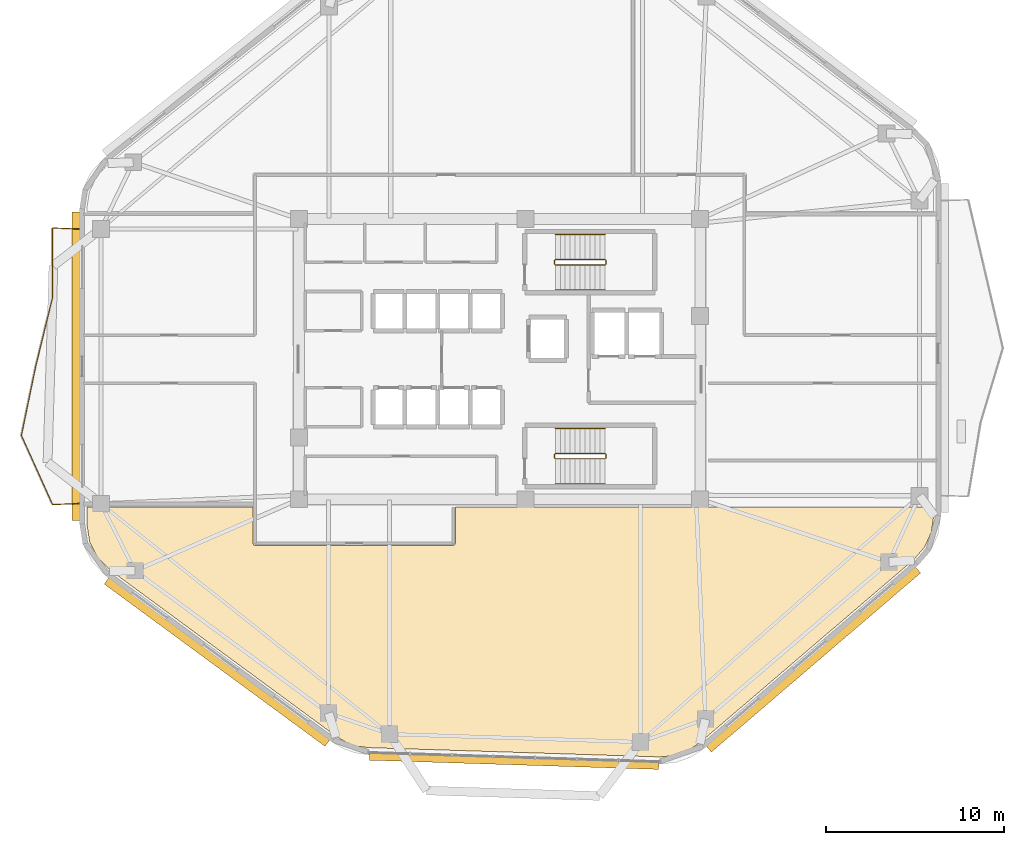
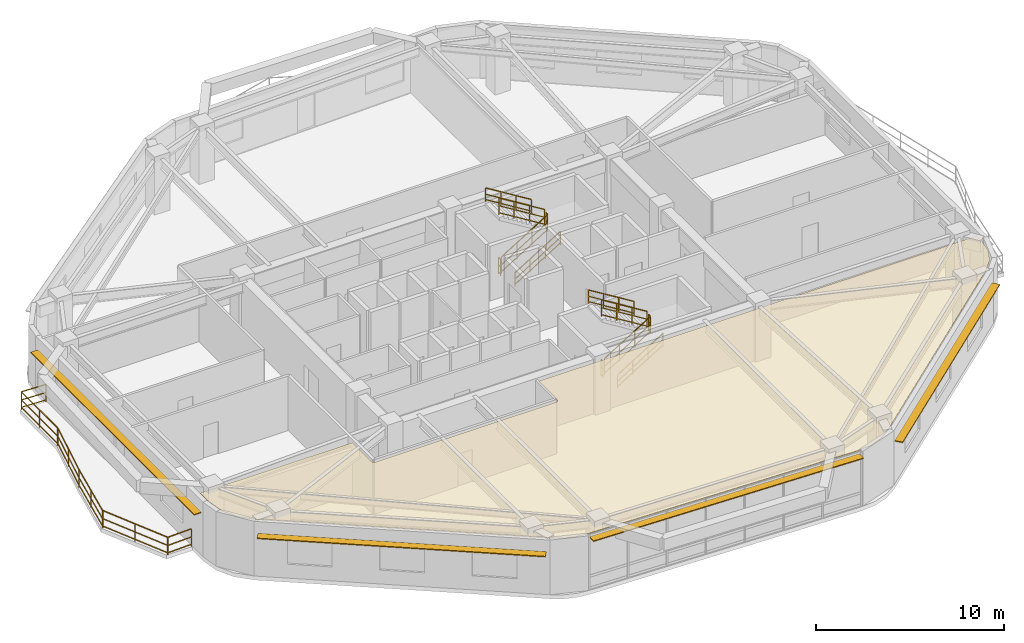
# One storey, part 11 of 12: 18 railings, 4 shading devices, 1 covering.
"""IFC4 building model written with IfcOpenShell, lengths in metres."""

from ifc_helpers import new_model, si_unit, direction, frame, origin, origin_2d, place, context, subcontext, project, spatial, polyline, rectangle, outline, extrude, material, layer, layer_set, type_object, element, save


model = new_model("IFC4")

# Units and contexts
model_context = context("Model", 3, precision=1e-05, world=origin(), true_north=direction((0.0, 1.0)))
body_context = subcontext(model_context, "Body", "Model", "MODEL_VIEW")
ifc_project = project(units=[si_unit("LENGTHUNIT", "METRE"), si_unit("AREAUNIT", "SQUARE_METRE"), si_unit("VOLUMEUNIT", "CUBIC_METRE"), si_unit("PLANEANGLEUNIT", "RADIAN"), si_unit("MASSUNIT", "GRAM", prefix="KILO")], contexts=[model_context])

# Site, building, storey
site_placement = place(None, origin())
site = spatial("IfcSite", under=ifc_project, at=site_placement, CompositionType="ELEMENT")
building_placement = place(site_placement, origin())
building = spatial("IfcBuilding", under=site, at=building_placement, Name="Zulverin Broadcast Headquarters", CompositionType="ELEMENT")
storey_placement = place(building_placement, frame((0.0, 0.0, 185.800048828125)))
storey = spatial("IfcBuildingStorey", under=building, at=storey_placement, Name="L47", CompositionType="ELEMENT", Elevation=185.800048828125)

# Covering
ifc_material_1 = material(Name="Perforated pale-metal acoustic baffle ceiling", Category="aluminium")
ifc_layer_1 = layer(ifc_material_1, 0.0400390625, Name="Perforated pale-metal acoustic baffle ceiling", Category="aluminium")
ifc_layer_set_1 = layer_set([ifc_layer_1], Name="Perforated pale-metal acoustic baffle ceiling")
covering_type = type_object("IfcCoveringType", Name="COV-CEIL-ACOU", PredefinedType="CEILING", material=ifc_layer_set_1)
covering_placement = place(storey_placement, frame((0.0, 0.0, 3.35986328125)))
element("IfcCovering", 1, at=covering_placement, inside=storey, type_object=covering_type, Name="L47 Acoustic Baffle Ceiling 03", PredefinedType="CEILING", context=body_context, shape_type="SweptSolid", body=[
    extrude(outline(polyline([(23.132080078125, 14.864013671875), (23.132080078125, 14.8759765625), (23.132080078125, 16.89990234375), (13.800048828125, 16.89990234375), (13.800048828125, 15.951904296875), (13.9599609375, 14.93994140625), (14.407958984375, 14.055908203125), (15.132080078125, 13.327880859375), (27.823974609375, 3.99609375), (28.39208984375, 3.659912109375), (28.99609375, 3.447998046875), (29.652099609375, 3.364013671875), (46.008056640625, 2.843994140625), (46.81591796875, 2.919921875), (47.56005859375, 3.179931640625), (48.236083984375, 3.6279296875), (60.260009765625, 13.916015625), (60.884033203125, 14.6279296875), (61.263916015625, 15.464111328125), (61.39990234375, 16.39599609375), (61.39990234375, 16.89990234375), (48.635986328125, 16.89990234375), (48.6279296875, 16.89599609375), (48.6201171875, 16.89208984375), (48.612060546875, 16.887939453125), (48.60009765625, 16.884033203125), (48.592041015625, 16.884033203125), (48.580078125, 16.8798828125), (48.568115234375, 16.8798828125), (34.52001953125, 16.8798828125), (34.52001953125, 14.8798828125), (34.52001953125, 14.867919921875), (34.51611328125, 14.85595703125), (34.51611328125, 14.847900390625), (34.511962890625, 14.8359375), (34.508056640625, 14.827880859375), (34.50390625, 14.820068359375), (34.5, 14.81201171875), (34.491943359375, 14.800048828125), (34.488037109375, 14.7919921875), (34.47998046875, 14.783935546875), (34.471923828125, 14.77587890625), (34.464111328125, 14.76806640625), (34.4560546875, 14.763916015625), (34.444091796875, 14.751953125), (34.431884765625, 14.748046875), (34.419921875, 14.739990234375), (34.412109375, 14.736083984375), (34.39990234375, 14.736083984375), (34.387939453125, 14.73193359375), (34.3759765625, 14.73193359375), (23.27587890625, 14.73193359375), (23.263916015625, 14.73193359375), (23.251953125, 14.736083984375), (23.243896484375, 14.736083984375), (23.23193359375, 14.739990234375), (23.22412109375, 14.743896484375), (23.2080078125, 14.751953125), (23.196044921875, 14.760009765625), (23.18798828125, 14.763916015625), (23.179931640625, 14.77197265625), (23.172119140625, 14.780029296875), (23.1640625, 14.7880859375), (23.159912109375, 14.7958984375), (23.152099609375, 14.80810546875), (23.14794921875, 14.81591796875), (23.14404296875, 14.823974609375), (23.139892578125, 14.83203125), (23.135986328125, 14.843994140625), (23.135986328125, 14.85205078125), (23.132080078125, 14.864013671875)])), origin(), (0.0, 0.0, 1.0), 0.0400390625),
])

# Railings
ifc_material_2 = material(Name="Brushed stainless steel & laminated glass balustrade", Category="steel")
railing_type_1 = type_object("IfcRailingType", Name="RL-GUARD-1150", PredefinedType="GUARDRAIL", material=ifc_material_2)
railing_1_placement = place(storey_placement, frame((13.360107421875, 32.51318359375, 0.0)))
element("IfcRailing", 2, at=railing_1_placement, inside=storey, type_object=railing_type_1, Name="L47 Vertical-Forest Balcony Guardrail BAL_W Segment 01", PredefinedType="GUARDRAIL", context=body_context, shape_type="SweptSolid", body=[
    extrude(rectangle(XDim=0.048095703125, YDim=0.048095703125, at=origin_2d()), frame((0.0, 0.0, 1.1259765625), z_axis=(-0.999181155166, 0.040460093435, 0.0), x_axis=(-0.040460093435, -0.999181155166, 0.0)), (0.0, 0.0, 1.0), 1.46630859375),
    extrude(rectangle(XDim=0.0419921875, YDim=0.0419921875, at=origin_2d()), frame((0.0, 0.0, 0.597900390625), z_axis=(-0.999181155166, 0.040460093435, 0.0), x_axis=(-0.040460093435, -0.999181155166, 0.0)), (0.0, 0.0, 1.0), 1.46630859375),
    extrude(rectangle(XDim=0.0419921875, YDim=0.0419921875, at=origin_2d()), frame((0.0, 0.0, 0.1201171875), z_axis=(-0.999181155166, 0.040460093435, 0.0), x_axis=(-0.040460093435, -0.999181155166, 0.0)), (0.0, 0.0, 1.0), 1.46630859375),
    extrude(rectangle(XDim=0.0419921875, YDim=0.0419921875, at=origin_2d()), origin(), (0.0, 0.0, 1.0), 1.101806640625),
    extrude(rectangle(XDim=0.0419921875, YDim=0.0419921875, at=origin_2d()), frame((-1.465087890625, 0.059326171875, 0.0)), (0.0, 0.0, 1.0), 1.101806640625),
])
railing_2_placement = place(storey_placement, frame((11.8798828125, 32.55810546875, 0.0)))
element("IfcRailing", 3, at=railing_2_placement, inside=storey, type_object=railing_type_1, Name="L47 Vertical-Forest Balcony Guardrail BAL_W Segment 02", PredefinedType="GUARDRAIL", context=body_context, shape_type="SweptSolid", body=[
    extrude(rectangle(XDim=0.048095703125, YDim=0.048095703125, at=origin_2d()), frame((0.0, 0.0, 1.1259765625), z_axis=(0.0, -1.0, 0.0), x_axis=(1.0, 0.0, 0.0)), (0.0, 0.0, 1.0), 3.857666015625),
    extrude(rectangle(XDim=0.0419921875, YDim=0.0419921875, at=origin_2d()), frame((0.0, 0.0, 0.597900390625), z_axis=(0.0, -1.0, 0.0), x_axis=(1.0, 0.0, 0.0)), (0.0, 0.0, 1.0), 3.857666015625),
    extrude(rectangle(XDim=0.0419921875, YDim=0.0419921875, at=origin_2d()), frame((0.0, 0.0, 0.1201171875), z_axis=(0.0, -1.0, 0.0), x_axis=(1.0, 0.0, 0.0)), (0.0, 0.0, 1.0), 3.857666015625),
    extrude(rectangle(XDim=0.0419921875, YDim=0.0419921875, at=origin_2d()), origin(), (0.0, 0.0, 1.0), 1.101806640625),
    extrude(rectangle(XDim=0.0419921875, YDim=0.0419921875, at=origin_2d()), frame((0.0, -1.9287109375, 0.0)), (0.0, 0.0, 1.0), 1.101806640625),
    extrude(rectangle(XDim=0.0419921875, YDim=0.0419921875, at=origin_2d()), frame((0.0, -3.857666015625, 0.0)), (0.0, 0.0, 1.0), 1.101806640625),
])
railing_3_placement = place(storey_placement, frame((11.87646484375, 28.6708984375, 0.0)))
element("IfcRailing", 4, at=railing_3_placement, inside=storey, type_object=railing_type_1, Name="L47 Vertical-Forest Balcony Guardrail BAL_W Segment 03", PredefinedType="GUARDRAIL", context=body_context, shape_type="SweptSolid", body=[
    extrude(rectangle(XDim=0.048095703125, YDim=0.048095703125, at=origin_2d()), frame((0.0, 0.0, 1.1259765625), z_axis=(-0.237195305154, -0.97146198444, 0.0), x_axis=(0.97146198444, -0.237195305154, 0.0)), (0.0, 0.0, 1.0), 3.971923828125),
    extrude(rectangle(XDim=0.0419921875, YDim=0.0419921875, at=origin_2d()), frame((0.0, 0.0, 0.597900390625), z_axis=(-0.237195305154, -0.97146198444, 0.0), x_axis=(0.97146198444, -0.237195305154, 0.0)), (0.0, 0.0, 1.0), 3.971923828125),
    extrude(rectangle(XDim=0.0419921875, YDim=0.0419921875, at=origin_2d()), frame((0.0, 0.0, 0.1201171875), z_axis=(-0.237195305154, -0.97146198444, 0.0), x_axis=(0.97146198444, -0.237195305154, 0.0)), (0.0, 0.0, 1.0), 3.971923828125),
    extrude(rectangle(XDim=0.0419921875, YDim=0.0419921875, at=origin_2d()), origin(), (0.0, 0.0, 1.0), 1.101806640625),
    extrude(rectangle(XDim=0.0419921875, YDim=0.0419921875, at=origin_2d()), frame((-0.47119140625, -1.92919921875, 0.0)), (0.0, 0.0, 1.0), 1.101806640625),
    extrude(rectangle(XDim=0.0419921875, YDim=0.0419921875, at=origin_2d()), frame((-0.942138671875, -3.858642578125, 0.0)), (0.0, 0.0, 1.0), 1.101806640625),
])
railing_4_placement = place(storey_placement, frame((10.927734375, 24.782958984375, 0.0)))
element("IfcRailing", 5, at=railing_4_placement, inside=storey, type_object=railing_type_1, Name="L47 Vertical-Forest Balcony Guardrail BAL_W Segment 04", PredefinedType="GUARDRAIL", context=body_context, shape_type="SweptSolid", body=[
    extrude(rectangle(XDim=0.048095703125, YDim=0.048095703125, at=origin_2d()), frame((0.0, 0.0, 1.1259765625), z_axis=(-0.202724430655, -0.979235827171, 0.0), x_axis=(0.979235827171, -0.202724430655, 0.0)), (0.0, 0.0, 1.0), 3.9404296875),
    extrude(rectangle(XDim=0.0419921875, YDim=0.0419921875, at=origin_2d()), frame((0.0, 0.0, 0.597900390625), z_axis=(-0.202724430655, -0.979235827171, 0.0), x_axis=(0.979235827171, -0.202724430655, 0.0)), (0.0, 0.0, 1.0), 3.9404296875),
    extrude(rectangle(XDim=0.0419921875, YDim=0.0419921875, at=origin_2d()), frame((0.0, 0.0, 0.1201171875), z_axis=(-0.202724430655, -0.979235827171, 0.0), x_axis=(0.979235827171, -0.202724430655, 0.0)), (0.0, 0.0, 1.0), 3.9404296875),
    extrude(rectangle(XDim=0.0419921875, YDim=0.0419921875, at=origin_2d()), origin(), (0.0, 0.0, 1.0), 1.101806640625),
    extrude(rectangle(XDim=0.0419921875, YDim=0.0419921875, at=origin_2d()), frame((-0.3994140625, -1.92919921875, 0.0)), (0.0, 0.0, 1.0), 1.101806640625),
    extrude(rectangle(XDim=0.0419921875, YDim=0.0419921875, at=origin_2d()), frame((-0.798828125, -3.858642578125, 0.0)), (0.0, 0.0, 1.0), 1.101806640625),
])
railing_5_placement = place(storey_placement, frame((10.132080078125, 20.89599609375, 0.0)))
element("IfcRailing", 6, at=railing_5_placement, inside=storey, type_object=railing_type_1, Name="L47 Vertical-Forest Balcony Guardrail BAL_W Segment 05", PredefinedType="GUARDRAIL", context=body_context, shape_type="SweptSolid", body=[
    extrude(rectangle(XDim=0.048095703125, YDim=0.048095703125, at=origin_2d()), frame((0.0, 0.0, 1.1259765625), z_axis=(0.41125615734, -0.911519814952, 0.0), x_axis=(0.911519814952, 0.41125615734, 0.0)), (0.0, 0.0, 1.0), 4.235107421875),
    extrude(rectangle(XDim=0.0419921875, YDim=0.0419921875, at=origin_2d()), frame((0.0, 0.0, 0.597900390625), z_axis=(0.41125615734, -0.911519814952, 0.0), x_axis=(0.911519814952, 0.41125615734, 0.0)), (0.0, 0.0, 1.0), 4.235107421875),
    extrude(rectangle(XDim=0.0419921875, YDim=0.0419921875, at=origin_2d()), frame((0.0, 0.0, 0.1201171875), z_axis=(0.41125615734, -0.911519814952, 0.0), x_axis=(0.911519814952, 0.41125615734, 0.0)), (0.0, 0.0, 1.0), 4.235107421875),
    extrude(rectangle(XDim=0.0419921875, YDim=0.0419921875, at=origin_2d()), origin(), (0.0, 0.0, 1.0), 1.101806640625),
    extrude(rectangle(XDim=0.0419921875, YDim=0.0419921875, at=origin_2d()), frame((0.870849609375, -1.93017578125, 0.0)), (0.0, 0.0, 1.0), 1.101806640625),
    extrude(rectangle(XDim=0.0419921875, YDim=0.0419921875, at=origin_2d()), frame((1.74169921875, -3.8603515625, 0.0)), (0.0, 0.0, 1.0), 1.101806640625),
])
railing_6_placement = place(storey_placement, frame((11.89501953125, 17.0224609375, 0.0)))
element("IfcRailing", 7, at=railing_6_placement, inside=storey, type_object=railing_type_1, Name="L47 Vertical-Forest Balcony Guardrail BAL_W Segment 06", PredefinedType="GUARDRAIL", context=body_context, shape_type="SweptSolid", body=[
    extrude(rectangle(XDim=0.048095703125, YDim=0.048095703125, at=origin_2d()), frame((0.0, 0.0, 1.1259765625), z_axis=(0.999181155166, 0.040460093435, 0.0), x_axis=(-0.040460093435, 0.999181155166, 0.0)), (0.0, 0.0, 1.0), 1.46630859375),
    extrude(rectangle(XDim=0.0419921875, YDim=0.0419921875, at=origin_2d()), frame((0.0, 0.0, 0.597900390625), z_axis=(0.999181155166, 0.040460093435, 0.0), x_axis=(-0.040460093435, 0.999181155166, 0.0)), (0.0, 0.0, 1.0), 1.46630859375),
    extrude(rectangle(XDim=0.0419921875, YDim=0.0419921875, at=origin_2d()), frame((0.0, 0.0, 0.1201171875), z_axis=(0.999181155166, 0.040460093435, 0.0), x_axis=(-0.040460093435, 0.999181155166, 0.0)), (0.0, 0.0, 1.0), 1.46630859375),
    extrude(rectangle(XDim=0.0419921875, YDim=0.0419921875, at=origin_2d()), origin(), (0.0, 0.0, 1.0), 1.101806640625),
    extrude(rectangle(XDim=0.0419921875, YDim=0.0419921875, at=origin_2d()), frame((1.465087890625, 0.059326171875, 0.0)), (0.0, 0.0, 1.0), 1.101806640625),
])
ifc_material_3 = material(Name="Painted galvanized steel tubular guardrail S355JR", Category="steel")
railing_type_2 = type_object("IfcRailingType", Name="RL-ST-GUARD", PredefinedType="GUARDRAIL", material=ifc_material_3)
railing_7_placement = place(storey_placement, frame((40.1298828125, 30.5, 0.172607421875)))
element("IfcRailing", 8, at=railing_7_placement, inside=storey, type_object=railing_type_2, Name="L47 ST-1 stair guard 1", PredefinedType="GUARDRAIL", context=body_context, shape_type="SweptSolid", body=[
    extrude(rectangle(XDim=0.048095703125, YDim=0.048095703125, at=origin_2d()), frame((0.0, 0.0, 1.076171875), z_axis=(0.851089632645, 0.0, 0.525020415988), x_axis=(0.0, 1.0, 0.0)), (0.0, 0.0, 1.0), 3.2900390625),
    extrude(rectangle(XDim=0.0419921875, YDim=0.0419921875, at=origin_2d()), frame((0.0, 0.0, 0.572021484375), z_axis=(0.851089632645, 0.0, 0.525020415988), x_axis=(0.0, 1.0, 0.0)), (0.0, 0.0, 1.0), 3.2900390625),
    extrude(rectangle(XDim=0.0419921875, YDim=0.0419921875, at=origin_2d()), frame((0.0, 0.0, 0.1201171875), z_axis=(0.851089632645, 0.0, 0.525020415988), x_axis=(0.0, 1.0, 0.0)), (0.0, 0.0, 1.0), 3.2900390625),
    extrude(rectangle(XDim=0.0419921875, YDim=0.0419921875, at=origin_2d()), origin(), (0.0, 0.0, 1.0), 1.052001953125),
    extrude(rectangle(XDim=0.0419921875, YDim=0.0419921875, at=origin_2d()), frame((0.933349609375, 0.0, 0.57568359375)), (0.0, 0.0, 1.0), 1.052001953125),
    extrude(rectangle(XDim=0.0419921875, YDim=0.0419921875, at=origin_2d()), frame((1.86669921875, 0.0, 1.151611328125)), (0.0, 0.0, 1.0), 1.052001953125),
    extrude(rectangle(XDim=0.0419921875, YDim=0.0419921875, at=origin_2d()), frame((2.800048828125, 0.0, 1.727294921875)), (0.0, 0.0, 1.0), 1.052001953125),
])
railing_8_placement = place(storey_placement, frame((42.97998046875, 30.550048828125, 1.89990234375)))
element("IfcRailing", 9, at=railing_8_placement, inside=storey, type_object=railing_type_2, Name="L47 ST-1 stair guard 2", PredefinedType="GUARDRAIL", context=body_context, shape_type="SweptSolid", body=[
    extrude(rectangle(XDim=0.048095703125, YDim=0.048095703125, at=origin_2d()), frame((0.0, 0.0, 1.076171875), z_axis=(0.0, 1.0, 0.0), x_axis=(-1.0, 0.0, 0.0)), (0.0, 0.0, 1.0), 0.199951171875),
    extrude(rectangle(XDim=0.0419921875, YDim=0.0419921875, at=origin_2d()), frame((0.0, 0.0, 0.572021484375), z_axis=(0.0, 1.0, 0.0), x_axis=(-1.0, 0.0, 0.0)), (0.0, 0.0, 1.0), 0.199951171875),
    extrude(rectangle(XDim=0.0419921875, YDim=0.0419921875, at=origin_2d()), frame((0.0, 0.0, 0.1201171875), z_axis=(0.0, 1.0, 0.0), x_axis=(-1.0, 0.0, 0.0)), (0.0, 0.0, 1.0), 0.199951171875),
    extrude(rectangle(XDim=0.0419921875, YDim=0.0419921875, at=origin_2d()), origin(), (0.0, 0.0, 1.0), 1.052001953125),
    extrude(rectangle(XDim=0.0419921875, YDim=0.0419921875, at=origin_2d()), frame((0.0, 0.199951171875, 0.0)), (0.0, 0.0, 1.0), 1.052001953125),
])
railing_9_placement = place(storey_placement, frame((42.929931640625, 30.800048828125, 2.07275390625)))
element("IfcRailing", 10, at=railing_9_placement, inside=storey, type_object=railing_type_2, Name="L47 ST-1 stair guard 3", PredefinedType="GUARDRAIL", context=body_context, shape_type="SweptSolid", body=[
    extrude(rectangle(XDim=0.048095703125, YDim=0.048095703125, at=origin_2d()), frame((0.0, 0.0, 1.076171875), z_axis=(-0.851089632645, 0.0, 0.525020415988), x_axis=(0.0, -1.0, 0.0)), (0.0, 0.0, 1.0), 3.2900390625),
    extrude(rectangle(XDim=0.0419921875, YDim=0.0419921875, at=origin_2d()), frame((0.0, 0.0, 0.572021484375), z_axis=(-0.851089632645, 0.0, 0.525020415988), x_axis=(0.0, -1.0, 0.0)), (0.0, 0.0, 1.0), 3.2900390625),
    extrude(rectangle(XDim=0.0419921875, YDim=0.0419921875, at=origin_2d()), frame((0.0, 0.0, 0.1201171875), z_axis=(-0.851089632645, 0.0, 0.525020415988), x_axis=(0.0, -1.0, 0.0)), (0.0, 0.0, 1.0), 3.2900390625),
    extrude(rectangle(XDim=0.0419921875, YDim=0.0419921875, at=origin_2d()), origin(), (0.0, 0.0, 1.0), 1.052001953125),
    extrude(rectangle(XDim=0.0419921875, YDim=0.0419921875, at=origin_2d()), frame((-0.933349609375, 0.0, 0.57568359375)), (0.0, 0.0, 1.0), 1.052001953125),
    extrude(rectangle(XDim=0.0419921875, YDim=0.0419921875, at=origin_2d()), frame((-1.86669921875, 0.0, 1.151611328125)), (0.0, 0.0, 1.0), 1.052001953125),
    extrude(rectangle(XDim=0.0419921875, YDim=0.0419921875, at=origin_2d()), frame((-2.800048828125, 0.0, 1.727294921875)), (0.0, 0.0, 1.0), 1.052001953125),
])
railing_10_placement = place(storey_placement, frame((40.080078125, 30.550048828125, 0.0)))
element("IfcRailing", 11, at=railing_10_placement, inside=storey, type_object=railing_type_2, Name="L47 ST-1 stair guard 4", PredefinedType="GUARDRAIL", context=body_context, shape_type="SweptSolid", body=[
    extrude(rectangle(XDim=0.048095703125, YDim=0.048095703125, at=origin_2d()), frame((0.0, 0.0, 1.076171875), z_axis=(0.0, 1.0, 0.0), x_axis=(-1.0, 0.0, 0.0)), (0.0, 0.0, 1.0), 0.199951171875),
    extrude(rectangle(XDim=0.0419921875, YDim=0.0419921875, at=origin_2d()), frame((0.0, 0.0, 0.572021484375), z_axis=(0.0, 1.0, 0.0), x_axis=(-1.0, 0.0, 0.0)), (0.0, 0.0, 1.0), 0.199951171875),
    extrude(rectangle(XDim=0.0419921875, YDim=0.0419921875, at=origin_2d()), frame((0.0, 0.0, 0.1201171875), z_axis=(0.0, 1.0, 0.0), x_axis=(-1.0, 0.0, 0.0)), (0.0, 0.0, 1.0), 0.199951171875),
    extrude(rectangle(XDim=0.0419921875, YDim=0.0419921875, at=origin_2d()), origin(), (0.0, 0.0, 1.0), 1.052001953125),
    extrude(rectangle(XDim=0.0419921875, YDim=0.0419921875, at=origin_2d()), frame((0.0, 0.199951171875, 0.0)), (0.0, 0.0, 1.0), 1.052001953125),
])
railing_11_placement = place(storey_placement, frame((40.1298828125, 19.60009765625, 0.172607421875)))
element("IfcRailing", 12, at=railing_11_placement, inside=storey, type_object=railing_type_2, Name="L47 ST-2 stair guard 1", PredefinedType="GUARDRAIL", context=body_context, shape_type="SweptSolid", body=[
    extrude(rectangle(XDim=0.048095703125, YDim=0.048095703125, at=origin_2d()), frame((0.0, 0.0, 1.076171875), z_axis=(0.851089632645, 0.0, 0.525020415988), x_axis=(0.0, 1.0, 0.0)), (0.0, 0.0, 1.0), 3.2900390625),
    extrude(rectangle(XDim=0.0419921875, YDim=0.0419921875, at=origin_2d()), frame((0.0, 0.0, 0.572021484375), z_axis=(0.851089632645, 0.0, 0.525020415988), x_axis=(0.0, 1.0, 0.0)), (0.0, 0.0, 1.0), 3.2900390625),
    extrude(rectangle(XDim=0.0419921875, YDim=0.0419921875, at=origin_2d()), frame((0.0, 0.0, 0.1201171875), z_axis=(0.851089632645, 0.0, 0.525020415988), x_axis=(0.0, 1.0, 0.0)), (0.0, 0.0, 1.0), 3.2900390625),
    extrude(rectangle(XDim=0.0419921875, YDim=0.0419921875, at=origin_2d()), origin(), (0.0, 0.0, 1.0), 1.052001953125),
    extrude(rectangle(XDim=0.0419921875, YDim=0.0419921875, at=origin_2d()), frame((0.933349609375, 0.0, 0.57568359375)), (0.0, 0.0, 1.0), 1.052001953125),
    extrude(rectangle(XDim=0.0419921875, YDim=0.0419921875, at=origin_2d()), frame((1.86669921875, 0.0, 1.151611328125)), (0.0, 0.0, 1.0), 1.052001953125),
    extrude(rectangle(XDim=0.0419921875, YDim=0.0419921875, at=origin_2d()), frame((2.800048828125, 0.0, 1.727294921875)), (0.0, 0.0, 1.0), 1.052001953125),
])
railing_12_placement = place(storey_placement, frame((42.97998046875, 19.64990234375, 1.89990234375)))
element("IfcRailing", 13, at=railing_12_placement, inside=storey, type_object=railing_type_2, Name="L47 ST-2 stair guard 2", PredefinedType="GUARDRAIL", context=body_context, shape_type="SweptSolid", body=[
    extrude(rectangle(XDim=0.048095703125, YDim=0.048095703125, at=origin_2d()), frame((0.0, 0.0, 1.076171875), z_axis=(0.0, 1.0, 0.0), x_axis=(-1.0, 0.0, 0.0)), (0.0, 0.0, 1.0), 0.2001953125),
    extrude(rectangle(XDim=0.0419921875, YDim=0.0419921875, at=origin_2d()), frame((0.0, 0.0, 0.572021484375), z_axis=(0.0, 1.0, 0.0), x_axis=(-1.0, 0.0, 0.0)), (0.0, 0.0, 1.0), 0.2001953125),
    extrude(rectangle(XDim=0.0419921875, YDim=0.0419921875, at=origin_2d()), frame((0.0, 0.0, 0.1201171875), z_axis=(0.0, 1.0, 0.0), x_axis=(-1.0, 0.0, 0.0)), (0.0, 0.0, 1.0), 0.2001953125),
    extrude(rectangle(XDim=0.0419921875, YDim=0.0419921875, at=origin_2d()), origin(), (0.0, 0.0, 1.0), 1.052001953125),
    extrude(rectangle(XDim=0.0419921875, YDim=0.0419921875, at=origin_2d()), frame((0.0, 0.2001953125, 0.0)), (0.0, 0.0, 1.0), 1.052001953125),
])
railing_13_placement = place(storey_placement, frame((42.929931640625, 19.89990234375, 2.07275390625)))
element("IfcRailing", 14, at=railing_13_placement, inside=storey, type_object=railing_type_2, Name="L47 ST-2 stair guard 3", PredefinedType="GUARDRAIL", context=body_context, shape_type="SweptSolid", body=[
    extrude(rectangle(XDim=0.048095703125, YDim=0.048095703125, at=origin_2d()), frame((0.0, 0.0, 1.076171875), z_axis=(-0.851089632645, 0.0, 0.525020415988), x_axis=(0.0, -1.0, 0.0)), (0.0, 0.0, 1.0), 3.2900390625),
    extrude(rectangle(XDim=0.0419921875, YDim=0.0419921875, at=origin_2d()), frame((0.0, 0.0, 0.572021484375), z_axis=(-0.851089632645, 0.0, 0.525020415988), x_axis=(0.0, -1.0, 0.0)), (0.0, 0.0, 1.0), 3.2900390625),
    extrude(rectangle(XDim=0.0419921875, YDim=0.0419921875, at=origin_2d()), frame((0.0, 0.0, 0.1201171875), z_axis=(-0.851089632645, 0.0, 0.525020415988), x_axis=(0.0, -1.0, 0.0)), (0.0, 0.0, 1.0), 3.2900390625),
    extrude(rectangle(XDim=0.0419921875, YDim=0.0419921875, at=origin_2d()), origin(), (0.0, 0.0, 1.0), 1.052001953125),
    extrude(rectangle(XDim=0.0419921875, YDim=0.0419921875, at=origin_2d()), frame((-0.933349609375, 0.0, 0.57568359375)), (0.0, 0.0, 1.0), 1.052001953125),
    extrude(rectangle(XDim=0.0419921875, YDim=0.0419921875, at=origin_2d()), frame((-1.86669921875, 0.0, 1.151611328125)), (0.0, 0.0, 1.0), 1.052001953125),
    extrude(rectangle(XDim=0.0419921875, YDim=0.0419921875, at=origin_2d()), frame((-2.800048828125, 0.0, 1.727294921875)), (0.0, 0.0, 1.0), 1.052001953125),
])
railing_14_placement = place(storey_placement, frame((40.080078125, 19.64990234375, 0.0)))
element("IfcRailing", 15, at=railing_14_placement, inside=storey, type_object=railing_type_2, Name="L47 ST-2 stair guard 4", PredefinedType="GUARDRAIL", context=body_context, shape_type="SweptSolid", body=[
    extrude(rectangle(XDim=0.048095703125, YDim=0.048095703125, at=origin_2d()), frame((0.0, 0.0, 1.076171875), z_axis=(0.0, 1.0, 0.0), x_axis=(-1.0, 0.0, 0.0)), (0.0, 0.0, 1.0), 0.2001953125),
    extrude(rectangle(XDim=0.0419921875, YDim=0.0419921875, at=origin_2d()), frame((0.0, 0.0, 0.572021484375), z_axis=(0.0, 1.0, 0.0), x_axis=(-1.0, 0.0, 0.0)), (0.0, 0.0, 1.0), 0.2001953125),
    extrude(rectangle(XDim=0.0419921875, YDim=0.0419921875, at=origin_2d()), frame((0.0, 0.0, 0.1201171875), z_axis=(0.0, 1.0, 0.0), x_axis=(-1.0, 0.0, 0.0)), (0.0, 0.0, 1.0), 0.2001953125),
    extrude(rectangle(XDim=0.0419921875, YDim=0.0419921875, at=origin_2d()), origin(), (0.0, 0.0, 1.0), 1.052001953125),
    extrude(rectangle(XDim=0.0419921875, YDim=0.0419921875, at=origin_2d()), frame((0.0, 0.2001953125, 0.0)), (0.0, 0.0, 1.0), 1.052001953125),
])
ifc_material_4 = material(Name="Brushed stainless steel 48 mm handrail", Category="steel")
railing_type_3 = type_object("IfcRailingType", Name="RL-ST-HAND", PredefinedType="HANDRAIL", material=ifc_material_4)
railing_15_placement = place(storey_placement, frame((40.1298828125, 29.10009765625, 0.172607421875)))
element("IfcRailing", 16, at=railing_15_placement, inside=storey, type_object=railing_type_3, Name="L47 ST-1 stair handrail 1", PredefinedType="HANDRAIL", context=body_context, shape_type="SweptSolid", body=[
    extrude(rectangle(XDim=0.048095703125, YDim=0.048095703125, at=origin_2d()), frame((0.0, 0.0, 0.8759765625), z_axis=(0.851089632645, 0.0, 0.525020415988), x_axis=(0.0, 1.0, 0.0)), (0.0, 0.0, 1.0), 3.2900390625),
    extrude(rectangle(XDim=0.0419921875, YDim=0.0419921875, at=origin_2d()), frame((0.0, 0.0, 0.468017578125), z_axis=(0.851089632645, 0.0, 0.525020415988), x_axis=(0.0, 1.0, 0.0)), (0.0, 0.0, 1.0), 3.2900390625),
    extrude(rectangle(XDim=0.0419921875, YDim=0.0419921875, at=origin_2d()), frame((0.0, 0.0, 0.1201171875), z_axis=(0.851089632645, 0.0, 0.525020415988), x_axis=(0.0, 1.0, 0.0)), (0.0, 0.0, 1.0), 3.2900390625),
    extrude(rectangle(XDim=0.0419921875, YDim=0.0419921875, at=origin_2d()), origin(), (0.0, 0.0, 1.0), 0.851806640625),
    extrude(rectangle(XDim=0.0419921875, YDim=0.0419921875, at=origin_2d()), frame((0.933349609375, 0.0, 0.57568359375)), (0.0, 0.0, 1.0), 0.851806640625),
    extrude(rectangle(XDim=0.0419921875, YDim=0.0419921875, at=origin_2d()), frame((1.86669921875, 0.0, 1.151611328125)), (0.0, 0.0, 1.0), 0.851806640625),
    extrude(rectangle(XDim=0.0419921875, YDim=0.0419921875, at=origin_2d()), frame((2.800048828125, 0.0, 1.727294921875)), (0.0, 0.0, 1.0), 0.851806640625),
])
railing_16_placement = place(storey_placement, frame((42.929931640625, 32.199951171875, 2.07275390625)))
element("IfcRailing", 17, at=railing_16_placement, inside=storey, type_object=railing_type_3, Name="L47 ST-1 stair handrail 2", PredefinedType="HANDRAIL", context=body_context, shape_type="SweptSolid", body=[
    extrude(rectangle(XDim=0.048095703125, YDim=0.048095703125, at=origin_2d()), frame((0.0, 0.0, 0.8759765625), z_axis=(-0.851089632645, 0.0, 0.525020415988), x_axis=(0.0, -1.0, 0.0)), (0.0, 0.0, 1.0), 3.2900390625),
    extrude(rectangle(XDim=0.0419921875, YDim=0.0419921875, at=origin_2d()), frame((0.0, 0.0, 0.468017578125), z_axis=(-0.851089632645, 0.0, 0.525020415988), x_axis=(0.0, -1.0, 0.0)), (0.0, 0.0, 1.0), 3.2900390625),
    extrude(rectangle(XDim=0.0419921875, YDim=0.0419921875, at=origin_2d()), frame((0.0, 0.0, 0.1201171875), z_axis=(-0.851089632645, 0.0, 0.525020415988), x_axis=(0.0, -1.0, 0.0)), (0.0, 0.0, 1.0), 3.2900390625),
    extrude(rectangle(XDim=0.0419921875, YDim=0.0419921875, at=origin_2d()), origin(), (0.0, 0.0, 1.0), 0.851806640625),
    extrude(rectangle(XDim=0.0419921875, YDim=0.0419921875, at=origin_2d()), frame((-0.933349609375, 0.0, 0.57568359375)), (0.0, 0.0, 1.0), 0.851806640625),
    extrude(rectangle(XDim=0.0419921875, YDim=0.0419921875, at=origin_2d()), frame((-1.86669921875, 0.0, 1.151611328125)), (0.0, 0.0, 1.0), 0.851806640625),
    extrude(rectangle(XDim=0.0419921875, YDim=0.0419921875, at=origin_2d()), frame((-2.800048828125, 0.0, 1.727294921875)), (0.0, 0.0, 1.0), 0.851806640625),
])
railing_17_placement = place(storey_placement, frame((40.1298828125, 18.199951171875, 0.172607421875)))
element("IfcRailing", 18, at=railing_17_placement, inside=storey, type_object=railing_type_3, Name="L47 ST-2 stair handrail 1", PredefinedType="HANDRAIL", context=body_context, shape_type="SweptSolid", body=[
    extrude(rectangle(XDim=0.048095703125, YDim=0.048095703125, at=origin_2d()), frame((0.0, 0.0, 0.8759765625), z_axis=(0.851089632645, 0.0, 0.525020415988), x_axis=(0.0, 1.0, 0.0)), (0.0, 0.0, 1.0), 3.2900390625),
    extrude(rectangle(XDim=0.0419921875, YDim=0.0419921875, at=origin_2d()), frame((0.0, 0.0, 0.468017578125), z_axis=(0.851089632645, 0.0, 0.525020415988), x_axis=(0.0, 1.0, 0.0)), (0.0, 0.0, 1.0), 3.2900390625),
    extrude(rectangle(XDim=0.0419921875, YDim=0.0419921875, at=origin_2d()), frame((0.0, 0.0, 0.1201171875), z_axis=(0.851089632645, 0.0, 0.525020415988), x_axis=(0.0, 1.0, 0.0)), (0.0, 0.0, 1.0), 3.2900390625),
    extrude(rectangle(XDim=0.0419921875, YDim=0.0419921875, at=origin_2d()), origin(), (0.0, 0.0, 1.0), 0.851806640625),
    extrude(rectangle(XDim=0.0419921875, YDim=0.0419921875, at=origin_2d()), frame((0.933349609375, 0.0, 0.57568359375)), (0.0, 0.0, 1.0), 0.851806640625),
    extrude(rectangle(XDim=0.0419921875, YDim=0.0419921875, at=origin_2d()), frame((1.86669921875, 0.0, 1.151611328125)), (0.0, 0.0, 1.0), 0.851806640625),
    extrude(rectangle(XDim=0.0419921875, YDim=0.0419921875, at=origin_2d()), frame((2.800048828125, 0.0, 1.727294921875)), (0.0, 0.0, 1.0), 0.851806640625),
])
railing_18_placement = place(storey_placement, frame((42.929931640625, 21.300048828125, 2.07275390625)))
element("IfcRailing", 19, at=railing_18_placement, inside=storey, type_object=railing_type_3, Name="L47 ST-2 stair handrail 2", PredefinedType="HANDRAIL", context=body_context, shape_type="SweptSolid", body=[
    extrude(rectangle(XDim=0.048095703125, YDim=0.048095703125, at=origin_2d()), frame((0.0, 0.0, 0.8759765625), z_axis=(-0.851089632645, 0.0, 0.525020415988), x_axis=(0.0, -1.0, 0.0)), (0.0, 0.0, 1.0), 3.2900390625),
    extrude(rectangle(XDim=0.0419921875, YDim=0.0419921875, at=origin_2d()), frame((0.0, 0.0, 0.468017578125), z_axis=(-0.851089632645, 0.0, 0.525020415988), x_axis=(0.0, -1.0, 0.0)), (0.0, 0.0, 1.0), 3.2900390625),
    extrude(rectangle(XDim=0.0419921875, YDim=0.0419921875, at=origin_2d()), frame((0.0, 0.0, 0.1201171875), z_axis=(-0.851089632645, 0.0, 0.525020415988), x_axis=(0.0, -1.0, 0.0)), (0.0, 0.0, 1.0), 3.2900390625),
    extrude(rectangle(XDim=0.0419921875, YDim=0.0419921875, at=origin_2d()), origin(), (0.0, 0.0, 1.0), 0.851806640625),
    extrude(rectangle(XDim=0.0419921875, YDim=0.0419921875, at=origin_2d()), frame((-0.933349609375, 0.0, 0.57568359375)), (0.0, 0.0, 1.0), 0.851806640625),
    extrude(rectangle(XDim=0.0419921875, YDim=0.0419921875, at=origin_2d()), frame((-1.86669921875, 0.0, 1.151611328125)), (0.0, 0.0, 1.0), 0.851806640625),
    extrude(rectangle(XDim=0.0419921875, YDim=0.0419921875, at=origin_2d()), frame((-2.800048828125, 0.0, 1.727294921875)), (0.0, 0.0, 1.0), 0.851806640625),
])

# Shading devices
ifc_material_5 = material(Name="Anodized pale-metal aluminium sunshade", Category="aluminium")
ifc_layer_2 = layer(ifc_material_5, 0.06005859375, Name="Anodized pale-metal aluminium sunshade", Category="aluminium")
ifc_layer_set_2 = layer_set([ifc_layer_2], Name="Anodized pale-metal aluminium sunshade")
shading_device_type = type_object("IfcShadingDeviceType", Name="SS-01_PALE_METAL_ALUMINIUM_SUNSHADE", PredefinedType="USERDEFINED", material=ifc_layer_set_2)
shading_device_1_placement = place(storey_placement, frame((37.818603515625, 2.62451171875, 3.309814453125), z_axis=(0.0, 0.0, 1.0), x_axis=(0.999497141269, -0.031709061709, 0.0)))
element("IfcShadingDevice", 20, at=shading_device_1_placement, inside=storey, type_object=shading_device_type, Name="L47 Pale-Metal Horizontal Sunshade Band CW-L47-E1", ObjectType="SUNSHADE", PredefinedType="USERDEFINED", context=body_context, shape_type="SweptSolid", body=[
    extrude(rectangle(XDim=16.268310546875, YDim=0.449951171875, at=origin_2d()), origin(), (0.0, 0.0, 1.0), 0.06005859375),
])
shading_device_2_placement = place(storey_placement, frame((54.638671875, 8.319091796875, 2.7099609375), z_axis=(0.0, 0.0, 1.0), x_axis=(0.759706154917, 0.650266528572, 0.0)))
element("IfcShadingDevice", 21, at=shading_device_2_placement, inside=storey, type_object=shading_device_type, Name="L47 Horizontal Pale-Metal Sunshade Band 2", ObjectType="SUNSHADE", PredefinedType="USERDEFINED", context=body_context, shape_type="SweptSolid", body=[
    extrude(rectangle(XDim=15.48095703125, YDim=0.449951171875, at=origin_2d()), origin(), (0.0, 0.0, 1.0), 0.06005859375),
])
shading_device_3_placement = place(storey_placement, frame((13.199951171875, 24.797607421875, 2.7099609375), z_axis=(0.0, 0.0, 1.0), x_axis=(0.0, -1.0, 0.0)))
element("IfcShadingDevice", 22, at=shading_device_3_placement, inside=storey, type_object=shading_device_type, Name="L47 Horizontal Pale-Metal Sunshade Band 7", ObjectType="SUNSHADE", PredefinedType="USERDEFINED", context=body_context, shape_type="SweptSolid", body=[
    extrude(rectangle(XDim=17.351318359375, YDim=0.449951171875, at=origin_2d()), origin(), (0.0, 0.0, 1.0), 0.06005859375),
])
shading_device_4_placement = place(storey_placement, frame((21.1171875, 8.180419921875, 2.7099609375), z_axis=(0.0, 0.0, 1.0), x_axis=(0.805802206513, -0.592184771822, 0.0)))
element("IfcShadingDevice", 23, at=shading_device_4_placement, inside=storey, type_object=shading_device_type, Name="L47 Horizontal Pale-Metal Sunshade Band 8", ObjectType="SUNSHADE", PredefinedType="USERDEFINED", context=body_context, shape_type="SweptSolid", body=[
    extrude(rectangle(XDim=15.404541015625, YDim=0.449951171875, at=origin_2d()), origin(), (0.0, 0.0, 1.0), 0.06005859375),
])

save(model, "model.ifc")
